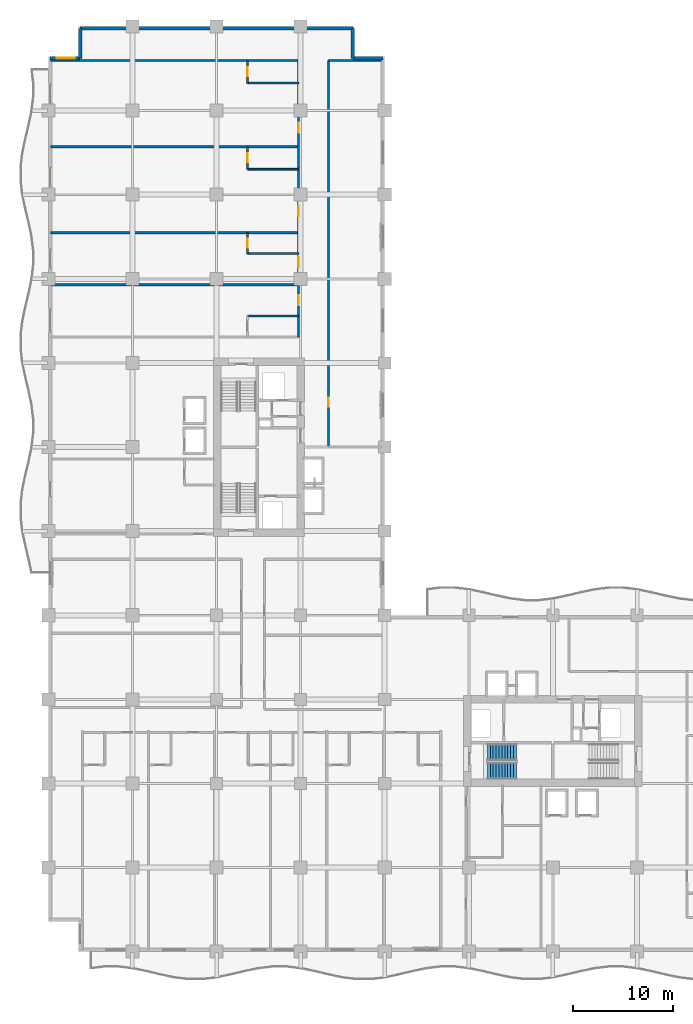
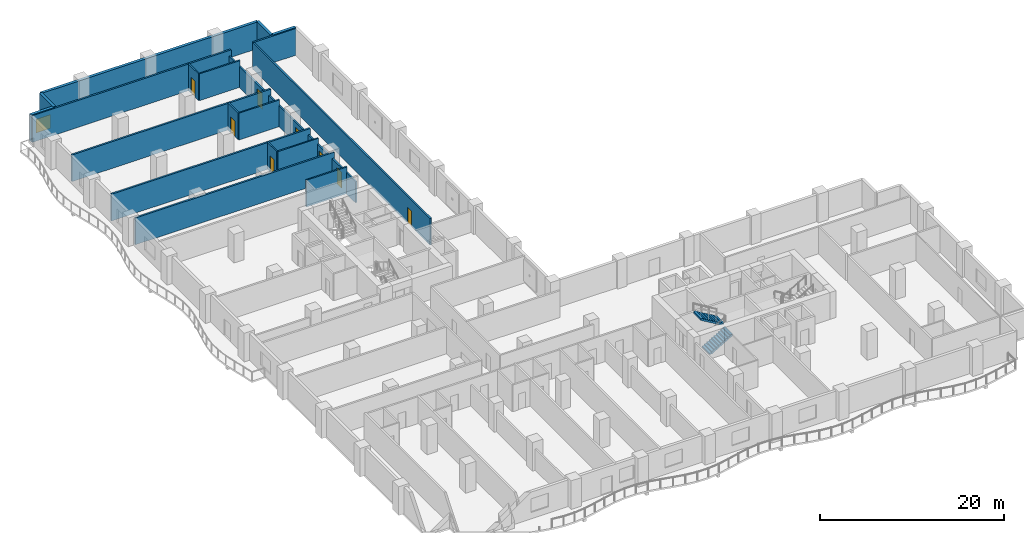
# One storey, part 11 of 17: 19 walls, 8 doors, 2 stair flights, 1 window, 9 openings, 1 element without a shape of its own.
"""IFC4 building model written with IfcOpenShell, lengths in metres."""

from ifc_helpers import new_model, si_unit, direction, frame, frame_2d, origin, place, context, subcontext, project, spatial, polyline, rectangle, outline, extrude, material, layer, layer_set, type_object, element, fill, aggregate, save


model = new_model("IFC4")

# Units and contexts
model_context = context("Model", 3, precision=1e-05, world=origin(), true_north=direction((0.0, 1.0)))
body_context = subcontext(model_context, "Body", "Model", "MODEL_VIEW")
ifc_project = project(units=[si_unit("LENGTHUNIT", "METRE"), si_unit("AREAUNIT", "SQUARE_METRE"), si_unit("VOLUMEUNIT", "CUBIC_METRE"), si_unit("PLANEANGLEUNIT", "RADIAN"), si_unit("MASSUNIT", "GRAM", prefix="KILO")], contexts=[model_context])

# Site, building, storey
site_placement = place(None, origin())
site = spatial("IfcSite", under=ifc_project, at=site_placement, CompositionType="ELEMENT")
building_placement = place(site_placement, origin())
building = spatial("IfcBuilding", under=site, at=building_placement, Name="Koriwani Terraces Tower", CompositionType="ELEMENT")
storey_placement = place(building_placement, frame((0.0, 0.0, 130.39990234375)))
storey = spatial("IfcBuildingStorey", under=building, at=storey_placement, Name="L31", CompositionType="ELEMENT", Elevation=130.39990234375)

# Wall, openings, doors
ifc_material_1 = material(Name="Autoclaved Cellular Concrete Blockwork", Category="masonry")
ifc_layer_1 = layer(ifc_material_1, 0.199951171875, Name="Autoclaved Cellular Concrete Blockwork")
ifc_layer_set_1 = layer_set([ifc_layer_1], Name="Autoclaved Cellular Concrete Blockwork")
wall_type_1 = type_object("IfcWallType", Name="WALL_CORRIDOR_200", PredefinedType="PARTITIONING", material=ifc_layer_set_1)
wall_1_placement = place(storey_placement, frame((25.0, 61.39990234375, 0.0), z_axis=(0.0, 0.0, 1.0), x_axis=(0.0, 1.0, 0.0)))
wall_1 = element("IfcWall", 1, at=wall_1_placement, inside=storey, type_object=wall_type_1, Name="L31 Interior Wall WCOR-L31-NE-0", PredefinedType="PARTITIONING", context=body_context, shape_type="SweptSolid", body=[
    extrude(rectangle(XDim=27.60009765625, YDim=0.199951171875, at=frame_2d((13.800048828125, 0.0))), origin(), (0.0, 0.0, 1.0), 2.800048828125),
])
opening_1_placement = place(wall_1_placement, frame((3.179931640625, 0.0, 0.0)))
opening_1 = element("IfcOpeningElement", 2, at=opening_1_placement, cuts=wall_1, Name="Opening D-05", PredefinedType="OPENING", context=body_context, shape_type="SweptSolid", body=[
    extrude(rectangle(XDim=1.0, YDim=2.14990234375, at=frame_2d((0.5, 1.074951171875))), frame((0.0, 0.10986328125, 0.0), z_axis=(0.0, -1.0, 0.0), x_axis=(1.0, 0.0, 0.0)), (0.0, 0.0, 1.0), 0.219970703125),
])
opening_2_placement = place(wall_1_placement, frame((6.969970703125, 0.0, 0.0)))
opening_2 = element("IfcOpeningElement", 3, at=opening_2_placement, cuts=wall_1, Name="Opening D-05", PredefinedType="OPENING", context=body_context, shape_type="SweptSolid", body=[
    extrude(rectangle(XDim=1.0, YDim=2.14990234375, at=frame_2d((0.5, 1.074951171875))), frame((0.0, 0.10986328125, 0.0), z_axis=(0.0, -1.0, 0.0), x_axis=(1.0, 0.0, 0.0)), (0.0, 0.0, 1.0), 0.219970703125),
])
opening_3_placement = place(wall_1_placement, frame((12.034912109375, 0.0, 0.0)))
opening_3 = element("IfcOpeningElement", 4, at=opening_3_placement, cuts=wall_1, Name="Opening D-05", PredefinedType="OPENING", context=body_context, shape_type="SweptSolid", body=[
    extrude(rectangle(XDim=1.0, YDim=2.14990234375, at=frame_2d((0.5, 1.074951171875))), frame((0.0, 0.10986328125, 0.0), z_axis=(0.0, -1.0, 0.0), x_axis=(1.0, 0.0, 0.0)), (0.0, 0.0, 1.0), 0.219970703125),
])
opening_4_placement = place(wall_1_placement, frame((20.385009765625, 0.0, 0.0)))
opening_4 = element("IfcOpeningElement", 5, at=opening_4_placement, cuts=wall_1, Name="Opening D-05", PredefinedType="OPENING", context=body_context, shape_type="SweptSolid", body=[
    extrude(rectangle(XDim=1.0, YDim=2.14990234375, at=frame_2d((0.5, 1.074951171875))), frame((0.0, 0.10986328125, 0.0), z_axis=(0.0, -1.0, 0.0), x_axis=(1.0, 0.0, 0.0)), (0.0, 0.0, 1.0), 0.219970703125),
])
ifc_material_2 = material(Name="Architectural Oak Fire Door", Category="wood")
door_type_1 = type_object("IfcDoorType", Name="DOOR_SUITE_ENTRY_1000X2150", OperationType="NOTDEFINED", PredefinedType="DOOR", material=ifc_material_2)
door_1_placement = place(opening_1_placement, origin())
door_1 = element("IfcDoor", 6, at=door_1_placement, inside=storey, type_object=door_type_1, Name="Luxury Hotel Suite 31NE1 Entrance Door", OperationType="SINGLE_SWING_RIGHT", OverallHeight=2.14990234375, OverallWidth=1.0, PredefinedType="DOOR", context=body_context, shape_type="SweptSolid", body=[
    extrude(rectangle(XDim=1.0, YDim=2.14990234375, at=frame_2d((0.5, 1.074951171875))), frame((0.0, 0.02490234375, 0.0), z_axis=(0.0, -1.0, 0.0), x_axis=(1.0, 0.0, 0.0)), (0.0, 0.0, 1.0), 0.050048828125),
])
fill(opening_1, door_1)
door_2_placement = place(opening_2_placement, origin())
door_2 = element("IfcDoor", 7, at=door_2_placement, inside=storey, type_object=door_type_1, Name="Luxury Hotel Suite 31NE2 Entrance Door", OperationType="SINGLE_SWING_RIGHT", OverallHeight=2.14990234375, OverallWidth=1.0, PredefinedType="DOOR", context=body_context, shape_type="SweptSolid", body=[
    extrude(rectangle(XDim=1.0, YDim=2.14990234375, at=frame_2d((0.5, 1.074951171875))), frame((0.0, 0.02490234375, 0.0), z_axis=(0.0, -1.0, 0.0), x_axis=(1.0, 0.0, 0.0)), (0.0, 0.0, 1.0), 0.050048828125),
])
fill(opening_2, door_2)
door_3_placement = place(opening_3_placement, origin())
door_3 = element("IfcDoor", 8, at=door_3_placement, inside=storey, type_object=door_type_1, Name="Luxury Hotel Suite 31NE3 Entrance Door", OperationType="SINGLE_SWING_RIGHT", OverallHeight=2.14990234375, OverallWidth=1.0, PredefinedType="DOOR", context=body_context, shape_type="SweptSolid", body=[
    extrude(rectangle(XDim=1.0, YDim=2.14990234375, at=frame_2d((0.5, 1.074951171875))), frame((0.0, 0.02490234375, 0.0), z_axis=(0.0, -1.0, 0.0), x_axis=(1.0, 0.0, 0.0)), (0.0, 0.0, 1.0), 0.050048828125),
])
fill(opening_3, door_3)
door_4_placement = place(opening_4_placement, origin())
door_4 = element("IfcDoor", 9, at=door_4_placement, inside=storey, type_object=door_type_1, Name="Luxury Hotel Suite 31NE4 Entrance Door", OperationType="SINGLE_SWING_RIGHT", OverallHeight=2.14990234375, OverallWidth=1.0, PredefinedType="DOOR", context=body_context, shape_type="SweptSolid", body=[
    extrude(rectangle(XDim=1.0, YDim=2.14990234375, at=frame_2d((0.5, 1.074951171875))), frame((0.0, 0.02490234375, 0.0), z_axis=(0.0, -1.0, 0.0), x_axis=(1.0, 0.0, 0.0)), (0.0, 0.0, 1.0), 0.050048828125),
])
fill(opening_4, door_4)

# Wall, opening, door
wall_2_placement = place(storey_placement, frame((28.0, 50.39990234375, 0.0), z_axis=(0.0, 0.0, 1.0), x_axis=(0.0, 1.0, 0.0)))
wall_2 = element("IfcWall", 10, at=wall_2_placement, inside=storey, type_object=wall_type_1, Name="L31 Interior Wall WNEC-W-L31", PredefinedType="PARTITIONING", context=body_context, shape_type="SweptSolid", body=[
    extrude(rectangle(XDim=38.60009765625, YDim=0.199951171875, at=frame_2d((19.300048828125, 0.0))), origin(), (0.0, 0.0, 1.0), 3.550048828125),
])
opening_5_placement = place(wall_2_placement, frame((4.0, 0.0, 0.0)))
opening_5 = element("IfcOpeningElement", 11, at=opening_5_placement, cuts=wall_2, Name="Opening D-06", PredefinedType="OPENING", context=body_context, shape_type="SweptSolid", body=[
    extrude(rectangle(XDim=0.919921875, YDim=2.10009765625, at=frame_2d((0.4599609375, 1.050048828125))), frame((0.0, 0.10986328125, 0.0), z_axis=(0.0, -1.0, 0.0), x_axis=(1.0, 0.0, 0.0)), (0.0, 0.0, 1.0), 0.219970703125),
])
door_type_2 = type_object("IfcDoorType", Name="DOOR_ROOM_INT_920X2100", OperationType="NOTDEFINED", PredefinedType="DOOR", material=ifc_material_2)
door_5_placement = place(opening_5_placement, origin())
door_5 = element("IfcDoor", 12, at=door_5_placement, inside=storey, type_object=door_type_2, Name="L31 North Court Study Door", OperationType="SINGLE_SWING_RIGHT", OverallHeight=2.10009765625, OverallWidth=0.919921875, PredefinedType="DOOR", context=body_context, shape_type="SweptSolid", body=[
    extrude(rectangle(XDim=0.919921875, YDim=2.10009765625, at=frame_2d((0.4599609375, 1.050048828125))), frame((0.0, 0.02490234375, 0.0), z_axis=(0.0, -1.0, 0.0), x_axis=(1.0, 0.0, 0.0)), (0.0, 0.0, 1.0), 0.050048828125),
])
fill(opening_5, door_5)

# Walls
ifc_layer_2 = layer(ifc_material_1, 0.219970703125, Name="Autoclaved Cellular Concrete Blockwork")
ifc_layer_set_2 = layer_set([ifc_layer_2], Name="Autoclaved Cellular Concrete Blockwork")
wall_type_2 = type_object("IfcWallType", Name="WALL_DEMISING_220", PredefinedType="PARTITIONING", material=ifc_layer_set_2)
for number, where, z_axis, x_axis, name in (
    (13, (0.199951171875, 66.60009765625, 0.0), (0.0, 0.0, 1.0), (1.0, 0.0, 0.0), "L31 Interior Wall WDEM-L31-NE-1"),
    (14, (0.199951171875, 71.800048828125, 0.0), (0.0, 0.0, 1.0), (1.0, 0.0, 0.0), "L31 Interior Wall WDEM-L31-NE-2"),
    (15, (0.199951171875, 80.39990234375, 0.0), (0.0, 0.0, 1.0), (1.0, 0.0, 0.0), "L31 Interior Wall WDEM-L31-NE-3"),
    (16, (0.199951171875, 89.0, 0.0), (0.0, 0.0, 1.0), (1.0, 0.0, 0.0), "L31 Interior Wall WDEME-L31-NE"),
):
    element("IfcWall", number, at=place(storey_placement, frame(where, z_axis=z_axis, x_axis=x_axis)), inside=storey, type_object=wall_type_2, Name=name, PredefinedType="PARTITIONING", context=body_context, shape_type="SweptSolid", body=[
        extrude(rectangle(XDim=24.97998046875, YDim=0.219970703125, at=frame_2d((12.489990234375, 0.0))), origin(), (0.0, 0.0, 1.0), 3.550048828125),
    ])
wall_3_placement = place(storey_placement, frame((28.0, 89.0, 0.0), z_axis=(0.0, 0.0, 1.0), x_axis=(1.0, 0.0, 0.0)))
element("IfcWall", 17, at=wall_3_placement, inside=storey, type_object=wall_type_2, Name="L31 Interior Wall WNEC-N-L31", PredefinedType="PARTITIONING", context=body_context, shape_type="SweptSolid", body=[
    extrude(rectangle(XDim=5.300048828125, YDim=0.219970703125, at=frame_2d((2.64990234375, 0.0))), origin(), (0.0, 0.0, 1.0), 3.550048828125),
])

# Wall, opening, window
ifc_material_3 = material(Name="Concrete C50/60", Category="concrete")
ifc_layer_3 = layer(ifc_material_3, 0.35009765625, Name="Concrete C50/60")
ifc_layer_set_3 = layer_set([ifc_layer_3], Name="Concrete C50/60")
wall_type_3 = type_object("IfcWallType", Name="WALL_EXT_BRUTALIST_350", PredefinedType="STANDARD", material=ifc_layer_set_3)
wall_4_placement = place(storey_placement, frame((0.175048828125, 89.22509765625, 0.0), z_axis=(0.0, 0.0, 1.0), x_axis=(1.0, 0.0, 0.0)))
wall_4 = element("IfcWall", 18, at=wall_4_placement, inside=storey, type_object=wall_type_3, Name="L31 Fair-Faced Brutalist Exterior Wall (N3)", PredefinedType="STANDARD", context=body_context, shape_type="SweptSolid", body=[
    extrude(rectangle(XDim=3.0, YDim=0.35009765625, at=frame_2d((1.5, 0.0))), origin(), (0.0, 0.0, 1.0), 3.550048828125),
])
opening_6_placement = place(wall_4_placement, frame((0.677490234375, 0.0, 0.85009765625)))
opening_6 = element("IfcOpeningElement", 19, at=opening_6_placement, cuts=wall_4, Name="Opening W-04", PredefinedType="OPENING", context=body_context, shape_type="SweptSolid", body=[
    extrude(rectangle(XDim=1.800048828125, YDim=1.800048828125, at=frame_2d((0.89990234375, 0.89990234375))), frame((0.0, 0.18505859375, 0.0), z_axis=(0.0, -1.0, 0.0), x_axis=(1.0, 0.0, 0.0)), (0.0, 0.0, 1.0), 0.3701171875),
])
ifc_material_4 = material(Name="Tempered Laminated Low-E Glass", Category="glass")
window_type = type_object("IfcWindowType", Name="WIN_RES_BED_1800X1800", PartitioningType="DOUBLE_PANEL_VERTICAL", PredefinedType="WINDOW", material=ifc_material_4)
window_placement = place(opening_6_placement, origin())
window = element("IfcWindow", 20, at=window_placement, inside=storey, type_object=window_type, Name="L31 Exterior Window (N3-R54)", OverallHeight=1.800048828125, OverallWidth=1.800048828125, PartitioningType="SINGLE_PANEL", PredefinedType="WINDOW", context=body_context, shape_type="SweptSolid", body=[
    extrude(rectangle(XDim=1.800048828125, YDim=1.800048828125, at=frame_2d((0.89990234375, 0.89990234375))), frame((0.0, 0.030029296875, 0.0), z_axis=(0.0, -1.0, 0.0), x_axis=(1.0, 0.0, 0.0)), (0.0, 0.0, 1.0), 0.06005859375),
])
fill(opening_6, window)

# Walls
wall_5_placement = place(storey_placement, frame((3.175048828125, 89.22509765625, 0.0), z_axis=(0.0, 0.0, 1.0), x_axis=(0.0, 1.0, 0.0)))
element("IfcWall", 21, at=wall_5_placement, inside=storey, type_object=wall_type_3, Name="L31 Fair-Faced Brutalist Exterior Wall (N4)", PredefinedType="STANDARD", context=body_context, shape_type="SweptSolid", body=[
    extrude(rectangle(XDim=3.0, YDim=0.35009765625, at=frame_2d((1.5, 0.0))), origin(), (0.0, 0.0, 1.0), 3.550048828125),
])
wall_6_placement = place(storey_placement, frame((3.175048828125, 92.22509765625, 0.0), z_axis=(0.0, 0.0, 1.0), x_axis=(1.0, 0.0, 0.0)))
element("IfcWall", 22, at=wall_6_placement, inside=storey, type_object=wall_type_3, Name="L31 Fair-Faced Brutalist Exterior Wall (N_TIP)", PredefinedType="STANDARD", context=body_context, shape_type="SweptSolid", body=[
    extrude(rectangle(XDim=27.25, YDim=0.35009765625, at=frame_2d((13.625, 0.0))), origin(), (0.0, 0.0, 1.0), 3.550048828125),
])
for number, where, z_axis, x_axis, name in (
    (23, (30.425048828125, 92.22509765625, 0.0), (0.0, 0.0, 1.0), (0.0, -1.0, 0.0), "L31 Fair-Faced Brutalist Exterior Wall (N6)"),
    (24, (30.425048828125, 89.22509765625, 0.0), (0.0, 0.0, 1.0), (1.0, 0.0, 0.0), "L31 Fair-Faced Brutalist Exterior Wall (N7)"),
):
    element("IfcWall", number, at=place(storey_placement, frame(where, z_axis=z_axis, x_axis=x_axis)), inside=storey, type_object=wall_type_3, Name=name, PredefinedType="STANDARD", context=body_context, shape_type="SweptSolid", body=[
        extrude(rectangle(XDim=3.0, YDim=0.35009765625, at=frame_2d((1.5, 0.0))), origin(), (0.0, 0.0, 1.0), 3.550048828125),
    ])
ifc_material_5 = material(Name="Fire-Rated Acoustic Gypsum Partition", Category="masonry")
ifc_layer_4 = layer(ifc_material_5, 0.179931640625, Name="Fire-Rated Acoustic Gypsum Partition")
ifc_layer_set_4 = layer_set([ifc_layer_4], Name="Fire-Rated Acoustic Gypsum Partition")
wall_type_4 = type_object("IfcWallType", Name="WALL_PLUMBING_180", PredefinedType="PLUMBINGWALL", material=ifc_layer_set_4)
wall_7_placement = place(storey_placement, frame((19.89990234375, 63.47998046875, 0.0), z_axis=(0.0, 0.0, 1.0), x_axis=(1.0, 0.0, 0.0)))
element("IfcWall", 25, at=wall_7_placement, inside=storey, type_object=wall_type_4, Name="L31 Interior Wall WBTH2-L31-NE-0", PredefinedType="PLUMBINGWALL", context=body_context, shape_type="SweptSolid", body=[
    extrude(rectangle(XDim=5.10009765625, YDim=0.179931640625, at=frame_2d((2.550048828125, 0.0))), origin(), (0.0, 0.0, 1.0), 3.550048828125),
])

# Wall, opening, door
wall_8_placement = place(storey_placement, frame((19.89990234375, 69.719970703125, 0.0), z_axis=(0.0, 0.0, 1.0), x_axis=(0.0, 1.0, 0.0)))
wall_8 = element("IfcWall", 26, at=wall_8_placement, inside=storey, type_object=wall_type_4, Name="L31 Interior Wall WBTH1-L31-NE-1", PredefinedType="PLUMBINGWALL", context=body_context, shape_type="SweptSolid", body=[
    extrude(rectangle(XDim=2.080078125, YDim=0.179931640625, at=frame_2d((1.0400390625, 0.0))), origin(), (0.0, 0.0, 1.0), 3.550048828125),
])
opening_7_placement = place(wall_8_placement, frame((0.590087890625, 0.0, 0.0)))
opening_7 = element("IfcOpeningElement", 27, at=opening_7_placement, cuts=wall_8, Name="Opening D-07", PredefinedType="OPENING", context=body_context, shape_type="SweptSolid", body=[
    extrude(rectangle(XDim=0.89990234375, YDim=2.10009765625, at=frame_2d((0.449951171875, 1.050048828125))), frame((0.0, 0.10009765625, 0.0), z_axis=(0.0, -1.0, 0.0), x_axis=(1.0, 0.0, 0.0)), (0.0, 0.0, 1.0), 0.199951171875),
])
door_type_3 = type_object("IfcDoorType", Name="DOOR_BATH_INT_900X2100", OperationType="NOTDEFINED", PredefinedType="DOOR", material=ifc_material_2)
door_6_placement = place(opening_7_placement, origin())
door_6 = element("IfcDoor", 28, at=door_6_placement, inside=storey, type_object=door_type_3, Name="En-Suite Bathroom 31NE2 Door", OperationType="SINGLE_SWING_LEFT", OverallHeight=2.10009765625, OverallWidth=0.89990234375, PredefinedType="DOOR", context=body_context, shape_type="SweptSolid", body=[
    extrude(rectangle(XDim=0.89990234375, YDim=2.10009765625, at=frame_2d((0.449951171875, 1.050048828125))), frame((0.0, 0.02490234375, 0.0), z_axis=(0.0, -1.0, 0.0), x_axis=(1.0, 0.0, 0.0)), (0.0, 0.0, 1.0), 0.050048828125),
])
fill(opening_7, door_6)

# Wall
wall_9_placement = place(storey_placement, frame((19.89990234375, 69.719970703125, 0.0), z_axis=(0.0, 0.0, 1.0), x_axis=(1.0, 0.0, 0.0)))
element("IfcWall", 29, at=wall_9_placement, inside=storey, type_object=wall_type_4, Name="L31 Interior Wall WBTH2-L31-NE-1", PredefinedType="PLUMBINGWALL", context=body_context, shape_type="SweptSolid", body=[
    extrude(rectangle(XDim=5.10009765625, YDim=0.179931640625, at=frame_2d((2.550048828125, 0.0))), origin(), (0.0, 0.0, 1.0), 3.550048828125),
])

# Wall, opening, door
wall_10_placement = place(storey_placement, frame((19.89990234375, 78.14990234375, 0.0), z_axis=(0.0, 0.0, 1.0), x_axis=(0.0, 1.0, 0.0)))
wall_10 = element("IfcWall", 30, at=wall_10_placement, inside=storey, type_object=wall_type_4, Name="L31 Interior Wall WBTH1-L31-NE-2", PredefinedType="PLUMBINGWALL", context=body_context, shape_type="SweptSolid", body=[
    extrude(rectangle(XDim=2.25, YDim=0.179931640625, at=frame_2d((1.125, 0.0))), origin(), (0.0, 0.0, 1.0), 3.550048828125),
])
opening_8_placement = place(wall_10_placement, frame((0.675048828125, 0.0, 0.0)))
opening_8 = element("IfcOpeningElement", 31, at=opening_8_placement, cuts=wall_10, Name="Opening D-07", PredefinedType="OPENING", context=body_context, shape_type="SweptSolid", body=[
    extrude(rectangle(XDim=0.89990234375, YDim=2.10009765625, at=frame_2d((0.449951171875, 1.050048828125))), frame((0.0, 0.10009765625, 0.0), z_axis=(0.0, -1.0, 0.0), x_axis=(1.0, 0.0, 0.0)), (0.0, 0.0, 1.0), 0.199951171875),
])
door_7_placement = place(opening_8_placement, origin())
door_7 = element("IfcDoor", 32, at=door_7_placement, inside=storey, type_object=door_type_3, Name="En-Suite Bathroom 31NE3 Door", OperationType="SINGLE_SWING_LEFT", OverallHeight=2.10009765625, OverallWidth=0.89990234375, PredefinedType="DOOR", context=body_context, shape_type="SweptSolid", body=[
    extrude(rectangle(XDim=0.89990234375, YDim=2.10009765625, at=frame_2d((0.449951171875, 1.050048828125))), frame((0.0, 0.02490234375, 0.0), z_axis=(0.0, -1.0, 0.0), x_axis=(1.0, 0.0, 0.0)), (0.0, 0.0, 1.0), 0.050048828125),
])
fill(opening_8, door_7)

# Wall
wall_11_placement = place(storey_placement, frame((19.89990234375, 78.14990234375, 0.0), z_axis=(0.0, 0.0, 1.0), x_axis=(1.0, 0.0, 0.0)))
element("IfcWall", 33, at=wall_11_placement, inside=storey, type_object=wall_type_4, Name="L31 Interior Wall WBTH2-L31-NE-2", PredefinedType="PLUMBINGWALL", context=body_context, shape_type="SweptSolid", body=[
    extrude(rectangle(XDim=5.10009765625, YDim=0.179931640625, at=frame_2d((2.550048828125, 0.0))), origin(), (0.0, 0.0, 1.0), 3.550048828125),
])

# Wall, opening, door
wall_12_placement = place(storey_placement, frame((19.89990234375, 86.75, 0.0), z_axis=(0.0, 0.0, 1.0), x_axis=(0.0, 1.0, 0.0)))
wall_12 = element("IfcWall", 34, at=wall_12_placement, inside=storey, type_object=wall_type_4, Name="L31 Interior Wall WBTH1-L31-NE-3", PredefinedType="PLUMBINGWALL", context=body_context, shape_type="SweptSolid", body=[
    extrude(rectangle(XDim=2.25, YDim=0.179931640625, at=frame_2d((1.125, 0.0))), origin(), (0.0, 0.0, 1.0), 3.550048828125),
])
opening_9_placement = place(wall_12_placement, frame((0.675048828125, 0.0, 0.0)))
opening_9 = element("IfcOpeningElement", 35, at=opening_9_placement, cuts=wall_12, Name="Opening D-07", PredefinedType="OPENING", context=body_context, shape_type="SweptSolid", body=[
    extrude(rectangle(XDim=0.89990234375, YDim=2.10009765625, at=frame_2d((0.449951171875, 1.050048828125))), frame((0.0, 0.10009765625, 0.0), z_axis=(0.0, -1.0, 0.0), x_axis=(1.0, 0.0, 0.0)), (0.0, 0.0, 1.0), 0.199951171875),
])
door_8_placement = place(opening_9_placement, origin())
door_8 = element("IfcDoor", 36, at=door_8_placement, inside=storey, type_object=door_type_3, Name="En-Suite Bathroom 31NE4 Door", OperationType="SINGLE_SWING_LEFT", OverallHeight=2.10009765625, OverallWidth=0.89990234375, PredefinedType="DOOR", context=body_context, shape_type="SweptSolid", body=[
    extrude(rectangle(XDim=0.89990234375, YDim=2.10009765625, at=frame_2d((0.449951171875, 1.050048828125))), frame((0.0, 0.02490234375, 0.0), z_axis=(0.0, -1.0, 0.0), x_axis=(1.0, 0.0, 0.0)), (0.0, 0.0, 1.0), 0.050048828125),
])
fill(opening_9, door_8)

# Wall
wall_13_placement = place(storey_placement, frame((19.89990234375, 86.75, 0.0), z_axis=(0.0, 0.0, 1.0), x_axis=(1.0, 0.0, 0.0)))
element("IfcWall", 37, at=wall_13_placement, inside=storey, type_object=wall_type_4, Name="L31 Interior Wall WBTH2-L31-NE-3", PredefinedType="PLUMBINGWALL", context=body_context, shape_type="SweptSolid", body=[
    extrude(rectangle(XDim=5.10009765625, YDim=0.179931640625, at=frame_2d((2.550048828125, 0.0))), origin(), (0.0, 0.0, 1.0), 3.550048828125),
])

# Stair, stair flights
ifc_material_6 = material(Name="Concrete C40/50", Category="concrete")
stair_type = type_object("IfcStairType", Name="STAIR_CORE_DOGLEG_1650", PredefinedType="TWO_STRAIGHT_RUN_STAIR", material=ifc_material_6)
stair_placement = place(storey_placement, origin())
stair = element("IfcStair", 38, at=stair_placement, inside=storey, type_object=stair_type, Name="L31 East Core Exit Stair 1", PredefinedType="HALF_TURN_STAIR")
stair_flight_type = type_object("IfcStairFlightType", Name="STAIR_FLIGHT_RC_1650", PredefinedType="STRAIGHT", material=ifc_material_6)
stair_flight_1_placement = place(storey_placement, frame((43.85009765625, 18.074951171875, 0.0), z_axis=(0.0, 0.0, 1.0), x_axis=(1.0, 0.0, 0.0)))
stair_flight_1 = element("IfcStairFlight", 39, at=stair_flight_1_placement, type_object=stair_flight_type, Name="ST-E1 flight 1", NumberOfRisers=11, NumberOfTreads=10, PredefinedType="STRAIGHT", RiserHeight=0.172727273, TreadLength=0.29, context=body_context, shape_type="SweptSolid", body=[
    extrude(outline(polyline([(0.0, 0.0), (0.0, 0.172607421875), (0.2900390625, 0.172607421875), (0.2900390625, 0.345458984375), (0.580078125, 0.345458984375), (0.580078125, 0.51806640625), (0.8701171875, 0.51806640625), (0.8701171875, 0.69091796875), (1.159912109375, 0.69091796875), (1.159912109375, 0.863525390625), (1.449951171875, 0.863525390625), (1.449951171875, 1.036376953125), (1.739990234375, 1.036376953125), (1.739990234375, 1.208984375), (2.030029296875, 1.208984375), (2.030029296875, 1.3818359375), (2.320068359375, 1.3818359375), (2.320068359375, 1.554443359375), (2.610107421875, 1.554443359375), (2.610107421875, 1.727294921875), (2.89990234375, 1.727294921875), (2.89990234375, 1.89990234375), (2.89990234375, 1.517822265625), (0.3515625, 0.0), (0.0, 0.0)])), frame((0.0, 0.824951171875, 0.0), z_axis=(0.0, -1.0, 0.0), x_axis=(1.0, 0.0, 0.0)), (0.0, 0.0, 1.0), 1.64990234375),
])
stair_flight_2_placement = place(storey_placement, frame((46.75, 19.925048828125, 1.900146484375), z_axis=(0.0, 0.0, 1.0), x_axis=(-1.0, 0.0, 0.0)))
stair_flight_2 = element("IfcStairFlight", 40, at=stair_flight_2_placement, type_object=stair_flight_type, Name="ST-E1 flight 2", NumberOfRisers=11, NumberOfTreads=10, PredefinedType="STRAIGHT", RiserHeight=0.172727273, TreadLength=0.29, context=body_context, shape_type="SweptSolid", body=[
    extrude(outline(polyline([(0.0, 0.0), (0.0, 0.172607421875), (0.2900390625, 0.172607421875), (0.2900390625, 0.345458984375), (0.580078125, 0.345458984375), (0.580078125, 0.51806640625), (0.8701171875, 0.51806640625), (0.8701171875, 0.69091796875), (1.159912109375, 0.69091796875), (1.159912109375, 0.863525390625), (1.449951171875, 0.863525390625), (1.449951171875, 1.036376953125), (1.739990234375, 1.036376953125), (1.739990234375, 1.208984375), (2.030029296875, 1.208984375), (2.030029296875, 1.3818359375), (2.320068359375, 1.3818359375), (2.320068359375, 1.554443359375), (2.610107421875, 1.554443359375), (2.610107421875, 1.727294921875), (2.89990234375, 1.727294921875), (2.89990234375, 1.89990234375), (2.89990234375, 1.517822265625), (0.3515625, 0.0), (0.0, 0.0)])), frame((0.0, 0.824951171875, 0.0), z_axis=(0.0, -1.0, 0.0), x_axis=(1.0, 0.0, 0.0)), (0.0, 0.0, 1.0), 1.64990234375),
])
aggregate(stair, [stair_flight_1, stair_flight_2])

save(model, "model.ifc")
